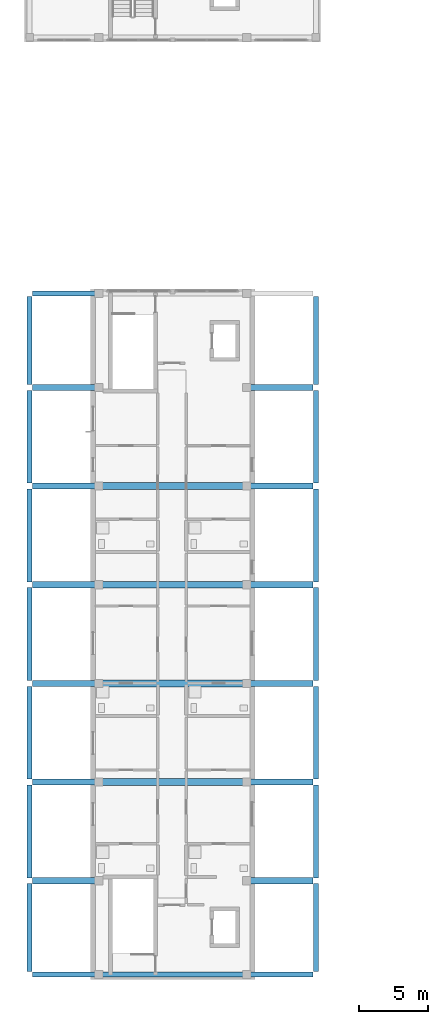
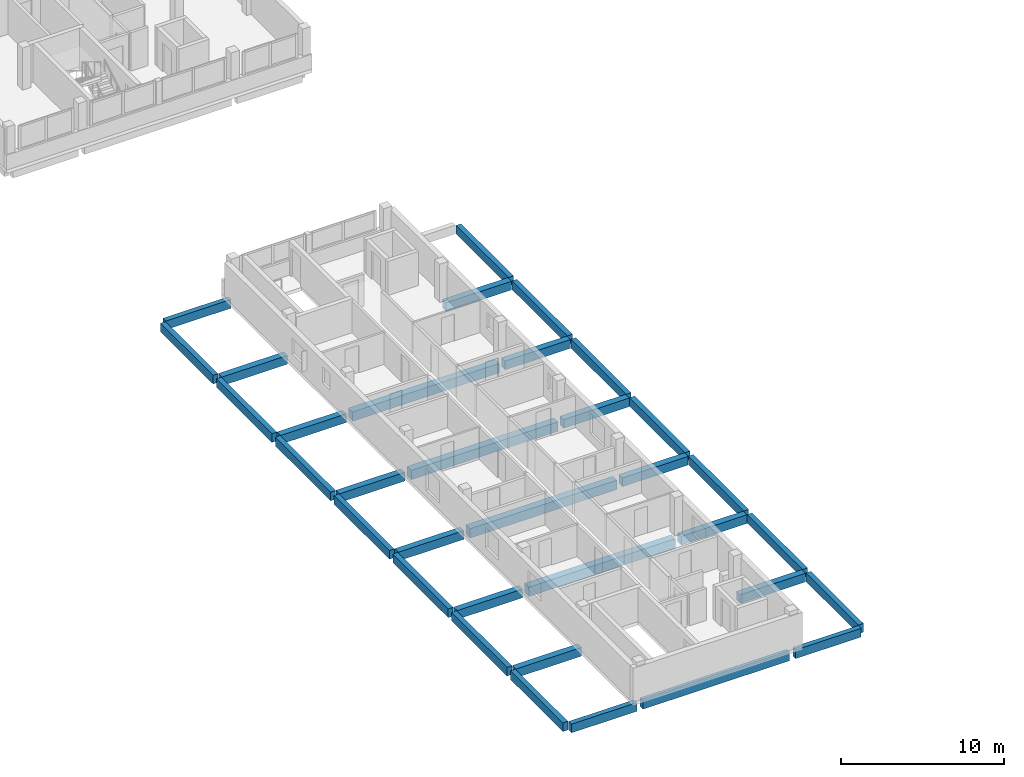
# One storey, part 3 of 34: 34 beams.
"""IFC4 building model written with IfcOpenShell, lengths in metres."""

from ifc_helpers import new_model, si_unit, derived_unit, direction, frame, origin, origin_2d, place, context, subcontext, project, spatial, rectangle, extrude, material, material_profile, profile_set, type_object, element, save


model = new_model("IFC4")

# Units and contexts
model_context = context("Model", 3, precision=1e-05, world=origin(), true_north=direction((0.0, 1.0)))
body_context = subcontext(model_context, "Body", "Model", "MODEL_VIEW")
ifc_project = project(units=[si_unit("LENGTHUNIT", "METRE"), si_unit("AREAUNIT", "SQUARE_METRE"), si_unit("VOLUMEUNIT", "CUBIC_METRE"), si_unit("PLANEANGLEUNIT", "RADIAN"), si_unit("MASSUNIT", "GRAM", prefix="KILO"), derived_unit("THERMALTRANSMITTANCEUNIT", [(si_unit("MASSUNIT", "GRAM", prefix="KILO"), 1), (si_unit("TIMEUNIT", "SECOND"), -3), (si_unit("THERMODYNAMICTEMPERATUREUNIT", "KELVIN"), -1)])], contexts=[model_context])

# Site, building, storey
site_placement = place(None, origin())
site = spatial("IfcSite", under=ifc_project, at=site_placement, CompositionType="ELEMENT")
building_placement = place(site_placement, origin())
building = spatial("IfcBuilding", under=site, at=building_placement, Name="Ochrekiln Boulevard Commons", CompositionType="ELEMENT")
storey_placement = place(building_placement, frame((0.0, 0.0, 27.824951171875)))
storey = spatial("IfcBuildingStorey", under=building, at=storey_placement, Name="L08", CompositionType="ELEMENT", Elevation=27.824951171875)

# Beams
ifc_material_1 = material(Name="Concrete C35/45", Category="concrete")
ifc_material_profile_1 = material_profile(ifc_material_1, rectangle(XDim=0.449951171875, YDim=0.64990234375, at=origin_2d()), Name="RC-BM-450x650")
ifc_profile_set_1 = profile_set([ifc_material_profile_1], Name="Concrete C35/45")
beam_type_1 = type_object("IfcBeamType", Name="BM-RC-450x650", PredefinedType="BEAM", material=ifc_profile_set_1)
beam_1_placement = place(storey_placement, frame((0.56005859375, 7.199951171875, -0.574951171875), z_axis=(1.0, 0.0, 0.0), x_axis=(0.0, 1.0, 0.0)))
element("IfcBeam", 1, at=beam_1_placement, inside=storey, type_object=beam_type_1, Name="Block D L08 Beam B-4565 X4", PredefinedType="BEAM", context=body_context, shape_type="SweptSolid", body=[
    extrude(rectangle(XDim=0.449951171875, YDim=0.64990234375, at=origin_2d()), origin(), (0.0, 0.0, 1.0), 4.6298828125),
])
beam_2_placement = place(storey_placement, frame((16.409912109375, 7.199951171875, -0.574951171875), z_axis=(1.0, 0.0, 0.0), x_axis=(0.0, 1.0, 0.0)))
element("IfcBeam", 2, at=beam_2_placement, inside=storey, type_object=beam_type_1, Name="Block D L08 Beam B-4565 X5", PredefinedType="BEAM", context=body_context, shape_type="SweptSolid", body=[
    extrude(rectangle(XDim=0.449951171875, YDim=0.64990234375, at=origin_2d()), origin(), (0.0, 0.0, 1.0), 4.630126953125),
])
beam_3_placement = place(storey_placement, frame((0.56005859375, 14.39990234375, -0.574951171875), z_axis=(1.0, 0.0, 0.0), x_axis=(0.0, 1.0, 0.0)))
element("IfcBeam", 3, at=beam_3_placement, inside=storey, type_object=beam_type_1, Name="Block D L08 Beam B-4565 X6", PredefinedType="BEAM", context=body_context, shape_type="SweptSolid", body=[
    extrude(rectangle(XDim=0.449951171875, YDim=0.64990234375, at=origin_2d()), origin(), (0.0, 0.0, 1.0), 4.6298828125),
])
beam_4_placement = place(storey_placement, frame((16.409912109375, 14.39990234375, -0.574951171875), z_axis=(1.0, 0.0, 0.0), x_axis=(0.0, 1.0, 0.0)))
element("IfcBeam", 4, at=beam_4_placement, inside=storey, type_object=beam_type_1, Name="Block D L08 Beam B-4565 X8", PredefinedType="BEAM", context=body_context, shape_type="SweptSolid", body=[
    extrude(rectangle(XDim=0.449951171875, YDim=0.64990234375, at=origin_2d()), origin(), (0.0, 0.0, 1.0), 4.630126953125),
])
beam_5_placement = place(storey_placement, frame((0.56005859375, 21.60009765625, -0.574951171875), z_axis=(1.0, 0.0, 0.0), x_axis=(0.0, 1.0, 0.0)))
element("IfcBeam", 5, at=beam_5_placement, inside=storey, type_object=beam_type_1, Name="Block D L08 Beam B-4565 X9", PredefinedType="BEAM", context=body_context, shape_type="SweptSolid", body=[
    extrude(rectangle(XDim=0.449951171875, YDim=0.64990234375, at=origin_2d()), origin(), (0.0, 0.0, 1.0), 4.6298828125),
])
beam_6_placement = place(storey_placement, frame((16.409912109375, 21.60009765625, -0.574951171875), z_axis=(1.0, 0.0, 0.0), x_axis=(0.0, 1.0, 0.0)))
element("IfcBeam", 6, at=beam_6_placement, inside=storey, type_object=beam_type_1, Name="Block D L08 Beam B-4565 X11", PredefinedType="BEAM", context=body_context, shape_type="SweptSolid", body=[
    extrude(rectangle(XDim=0.449951171875, YDim=0.64990234375, at=origin_2d()), origin(), (0.0, 0.0, 1.0), 4.630126953125),
])
beam_7_placement = place(storey_placement, frame((0.56005859375, 28.800048828125, -0.574951171875), z_axis=(1.0, 0.0, 0.0), x_axis=(0.0, 1.0, 0.0)))
element("IfcBeam", 7, at=beam_7_placement, inside=storey, type_object=beam_type_1, Name="Block D L08 Beam B-4565 X12", PredefinedType="BEAM", context=body_context, shape_type="SweptSolid", body=[
    extrude(rectangle(XDim=0.449951171875, YDim=0.64990234375, at=origin_2d()), origin(), (0.0, 0.0, 1.0), 4.6298828125),
])
beam_8_placement = place(storey_placement, frame((16.409912109375, 28.800048828125, -0.574951171875), z_axis=(1.0, 0.0, 0.0), x_axis=(0.0, 1.0, 0.0)))
element("IfcBeam", 8, at=beam_8_placement, inside=storey, type_object=beam_type_1, Name="Block D L08 Beam B-4565 X14", PredefinedType="BEAM", context=body_context, shape_type="SweptSolid", body=[
    extrude(rectangle(XDim=0.449951171875, YDim=0.64990234375, at=origin_2d()), origin(), (0.0, 0.0, 1.0), 4.630126953125),
])
beam_9_placement = place(storey_placement, frame((0.56005859375, 36.0, -0.574951171875), z_axis=(1.0, 0.0, 0.0), x_axis=(0.0, 1.0, 0.0)))
element("IfcBeam", 9, at=beam_9_placement, inside=storey, type_object=beam_type_1, Name="Block D L08 Beam B-4565 X15", PredefinedType="BEAM", context=body_context, shape_type="SweptSolid", body=[
    extrude(rectangle(XDim=0.449951171875, YDim=0.64990234375, at=origin_2d()), origin(), (0.0, 0.0, 1.0), 4.6298828125),
])
beam_10_placement = place(storey_placement, frame((16.409912109375, 36.0, -0.574951171875), z_axis=(1.0, 0.0, 0.0), x_axis=(0.0, 1.0, 0.0)))
element("IfcBeam", 10, at=beam_10_placement, inside=storey, type_object=beam_type_1, Name="Block D L08 Beam B-4565 X17", PredefinedType="BEAM", context=body_context, shape_type="SweptSolid", body=[
    extrude(rectangle(XDim=0.449951171875, YDim=0.64990234375, at=origin_2d()), origin(), (0.0, 0.0, 1.0), 4.630126953125),
])
beam_11_placement = place(storey_placement, frame((0.56005859375, 43.199951171875, -0.574951171875), z_axis=(1.0, 0.0, 0.0), x_axis=(0.0, 1.0, 0.0)))
element("IfcBeam", 11, at=beam_11_placement, inside=storey, type_object=beam_type_1, Name="Block D L08 Beam B-4565 X18", PredefinedType="BEAM", context=body_context, shape_type="SweptSolid", body=[
    extrude(rectangle(XDim=0.449951171875, YDim=0.64990234375, at=origin_2d()), origin(), (0.0, 0.0, 1.0), 4.6298828125),
])
beam_12_placement = place(storey_placement, frame((16.409912109375, 43.199951171875, -0.574951171875), z_axis=(1.0, 0.0, 0.0), x_axis=(0.0, 1.0, 0.0)))
element("IfcBeam", 12, at=beam_12_placement, inside=storey, type_object=beam_type_1, Name="Block D L08 Beam B-4565 X19", PredefinedType="BEAM", context=body_context, shape_type="SweptSolid", body=[
    extrude(rectangle(XDim=0.449951171875, YDim=0.64990234375, at=origin_2d()), origin(), (0.0, 0.0, 1.0), 4.630126953125),
])
ifc_material_2 = material(Name="Concrete C40/50", Category="concrete")
ifc_material_profile_2 = material_profile(ifc_material_2, rectangle(XDim=0.5, YDim=0.699951171875, at=origin_2d()), Name="RC-BM-500x700")
ifc_profile_set_2 = profile_set([ifc_material_profile_2], Name="Concrete C40/50")
beam_type_2 = type_object("IfcBeamType", Name="BM-RC-500x700", PredefinedType="BEAM", material=ifc_profile_set_2)
for number, where, z_axis, x_axis, name in (
    (13, (5.610107421875, 14.39990234375, -0.599853515625), (1.0, 0.0, 0.0), (0.0, 1.0, 0.0), "Block D L08 Beam B-5070 X7"),
    (14, (5.610107421875, 21.60009765625, -0.599853515625), (1.0, 0.0, 0.0), (0.0, 1.0, 0.0), "Block D L08 Beam B-5070 X10"),
    (15, (5.610107421875, 28.800048828125, -0.599853515625), (1.0, 0.0, 0.0), (0.0, 1.0, 0.0), "Block D L08 Beam B-5070 X13"),
    (16, (5.610107421875, 36.0, -0.599853515625), (1.0, 0.0, 0.0), (0.0, 1.0, 0.0), "Block D L08 Beam B-5070 X16"),
):
    element("IfcBeam", number, at=place(storey_placement, frame(where, z_axis=z_axis, x_axis=x_axis)), inside=storey, type_object=beam_type_2, Name=name, PredefinedType="BEAM", context=body_context, shape_type="SweptSolid", body=[
        extrude(rectangle(XDim=0.5, YDim=0.699951171875, at=origin_2d()), origin(), (0.0, 0.0, 1.0), 10.3798828125),
    ])
ifc_material_profile_3 = material_profile(ifc_material_2, rectangle(XDim=0.35009765625, YDim=0.64990234375, at=origin_2d()), Name="RC-SPN-350x650")
ifc_profile_set_3 = profile_set([ifc_material_profile_3], Name="Concrete C40/50")
beam_type_3 = type_object("IfcBeamType", Name="SPN-RC-350x650", PredefinedType="SPANDREL", material=ifc_profile_set_3)
beam_13_placement = place(storey_placement, frame((0.56005859375, 0.35009765625, -0.574951171875), z_axis=(1.0, 0.0, 0.0), x_axis=(0.0, 1.0, 0.0)))
element("IfcBeam", 17, at=beam_13_placement, inside=storey, type_object=beam_type_3, Name="Block D L08 Beam SP-3565 X1", PredefinedType="SPANDREL", context=body_context, shape_type="SweptSolid", body=[
    extrude(rectangle(XDim=0.35009765625, YDim=0.64990234375, at=origin_2d()), origin(), (0.0, 0.0, 1.0), 4.6298828125),
])
beam_14_placement = place(storey_placement, frame((5.610107421875, 0.35009765625, -0.574951171875), z_axis=(1.0, 0.0, 0.0), x_axis=(0.0, 1.0, 0.0)))
element("IfcBeam", 18, at=beam_14_placement, inside=storey, type_object=beam_type_3, Name="Block D L08 Beam SP-3565 X2", PredefinedType="SPANDREL", context=body_context, shape_type="SweptSolid", body=[
    extrude(rectangle(XDim=0.35009765625, YDim=0.64990234375, at=origin_2d()), origin(), (0.0, 0.0, 1.0), 10.3798828125),
])
beam_15_placement = place(storey_placement, frame((16.409912109375, 0.35009765625, -0.574951171875), z_axis=(1.0, 0.0, 0.0), x_axis=(0.0, 1.0, 0.0)))
element("IfcBeam", 19, at=beam_15_placement, inside=storey, type_object=beam_type_3, Name="Block D L08 Beam SP-3565 X3", PredefinedType="SPANDREL", context=body_context, shape_type="SweptSolid", body=[
    extrude(rectangle(XDim=0.35009765625, YDim=0.64990234375, at=origin_2d()), origin(), (0.0, 0.0, 1.0), 4.630126953125),
])
beam_16_placement = place(storey_placement, frame((0.56005859375, 50.050048828125, -0.574951171875), z_axis=(1.0, 0.0, 0.0), x_axis=(0.0, 1.0, 0.0)))
element("IfcBeam", 20, at=beam_16_placement, inside=storey, type_object=beam_type_3, Name="Block D L08 Beam SP-3565 X20", PredefinedType="SPANDREL", context=body_context, shape_type="SweptSolid", body=[
    extrude(rectangle(XDim=0.35009765625, YDim=0.64990234375, at=origin_2d()), origin(), (0.0, 0.0, 1.0), 4.6298828125),
])
beam_17_placement = place(storey_placement, frame((0.35009765625, 0.56005859375, -0.574951171875), z_axis=(0.0, 1.0, 0.0), x_axis=(-1.0, 0.0, 0.0)))
element("IfcBeam", 21, at=beam_17_placement, inside=storey, type_object=beam_type_3, Name="Block D L08 Beam SP-3565 Y23", PredefinedType="SPANDREL", context=body_context, shape_type="SweptSolid", body=[
    extrude(rectangle(XDim=0.35009765625, YDim=0.64990234375, at=origin_2d()), origin(), (0.0, 0.0, 1.0), 6.429931640625),
])
beam_18_placement = place(storey_placement, frame((0.35009765625, 7.409912109375, -0.574951171875), z_axis=(0.0, 1.0, 0.0), x_axis=(-1.0, 0.0, 0.0)))
element("IfcBeam", 22, at=beam_18_placement, inside=storey, type_object=beam_type_3, Name="Block D L08 Beam SP-3565 Y24", PredefinedType="SPANDREL", context=body_context, shape_type="SweptSolid", body=[
    extrude(rectangle(XDim=0.35009765625, YDim=0.64990234375, at=origin_2d()), origin(), (0.0, 0.0, 1.0), 6.780029296875),
])
beam_19_placement = place(storey_placement, frame((0.35009765625, 14.610107421875, -0.574951171875), z_axis=(0.0, 1.0, 0.0), x_axis=(-1.0, 0.0, 0.0)))
element("IfcBeam", 23, at=beam_19_placement, inside=storey, type_object=beam_type_3, Name="Block D L08 Beam SP-3565 Y25", PredefinedType="SPANDREL", context=body_context, shape_type="SweptSolid", body=[
    extrude(rectangle(XDim=0.35009765625, YDim=0.64990234375, at=origin_2d()), origin(), (0.0, 0.0, 1.0), 6.77978515625),
])
for number, where, z_axis, x_axis, name in (
    (24, (0.35009765625, 21.81005859375, -0.574951171875), (0.0, 1.0, 0.0), (-1.0, 0.0, 0.0), "Block D L08 Beam SP-3565 Y26"),
    (25, (0.35009765625, 29.010009765625, -0.574951171875), (0.0, 1.0, 0.0), (-1.0, 0.0, 0.0), "Block D L08 Beam SP-3565 Y27"),
    (26, (0.35009765625, 36.2099609375, -0.574951171875), (0.0, 1.0, 0.0), (-1.0, 0.0, 0.0), "Block D L08 Beam SP-3565 Y28"),
):
    element("IfcBeam", number, at=place(storey_placement, frame(where, z_axis=z_axis, x_axis=x_axis)), inside=storey, type_object=beam_type_3, Name=name, PredefinedType="SPANDREL", context=body_context, shape_type="SweptSolid", body=[
        extrude(rectangle(XDim=0.35009765625, YDim=0.64990234375, at=origin_2d()), origin(), (0.0, 0.0, 1.0), 6.780029296875),
    ])
beam_20_placement = place(storey_placement, frame((0.35009765625, 43.409912109375, -0.574951171875), z_axis=(0.0, 1.0, 0.0), x_axis=(-1.0, 0.0, 0.0)))
element("IfcBeam", 27, at=beam_20_placement, inside=storey, type_object=beam_type_3, Name="Block D L08 Beam SP-3565 Y29", PredefinedType="SPANDREL", context=body_context, shape_type="SweptSolid", body=[
    extrude(rectangle(XDim=0.35009765625, YDim=0.64990234375, at=origin_2d()), origin(), (0.0, 0.0, 1.0), 6.43017578125),
])
beam_21_placement = place(storey_placement, frame((21.25, 0.56005859375, -0.574951171875), z_axis=(0.0, 1.0, 0.0), x_axis=(-1.0, 0.0, 0.0)))
element("IfcBeam", 28, at=beam_21_placement, inside=storey, type_object=beam_type_3, Name="Block D L08 Beam SP-3565 Y30", PredefinedType="SPANDREL", context=body_context, shape_type="SweptSolid", body=[
    extrude(rectangle(XDim=0.35009765625, YDim=0.64990234375, at=origin_2d()), origin(), (0.0, 0.0, 1.0), 6.429931640625),
])
beam_22_placement = place(storey_placement, frame((21.25, 7.409912109375, -0.574951171875), z_axis=(0.0, 1.0, 0.0), x_axis=(-1.0, 0.0, 0.0)))
element("IfcBeam", 29, at=beam_22_placement, inside=storey, type_object=beam_type_3, Name="Block D L08 Beam SP-3565 Y31", PredefinedType="SPANDREL", context=body_context, shape_type="SweptSolid", body=[
    extrude(rectangle(XDim=0.35009765625, YDim=0.64990234375, at=origin_2d()), origin(), (0.0, 0.0, 1.0), 6.780029296875),
])
beam_23_placement = place(storey_placement, frame((21.25, 14.610107421875, -0.574951171875), z_axis=(0.0, 1.0, 0.0), x_axis=(-1.0, 0.0, 0.0)))
element("IfcBeam", 30, at=beam_23_placement, inside=storey, type_object=beam_type_3, Name="Block D L08 Beam SP-3565 Y32", PredefinedType="SPANDREL", context=body_context, shape_type="SweptSolid", body=[
    extrude(rectangle(XDim=0.35009765625, YDim=0.64990234375, at=origin_2d()), origin(), (0.0, 0.0, 1.0), 6.77978515625),
])
for number, where, z_axis, x_axis, name in (
    (31, (21.25, 21.81005859375, -0.574951171875), (0.0, 1.0, 0.0), (-1.0, 0.0, 0.0), "Block D L08 Beam SP-3565 Y33"),
    (32, (21.25, 29.010009765625, -0.574951171875), (0.0, 1.0, 0.0), (-1.0, 0.0, 0.0), "Block D L08 Beam SP-3565 Y34"),
    (33, (21.25, 36.2099609375, -0.574951171875), (0.0, 1.0, 0.0), (-1.0, 0.0, 0.0), "Block D L08 Beam SP-3565 Y35"),
):
    element("IfcBeam", number, at=place(storey_placement, frame(where, z_axis=z_axis, x_axis=x_axis)), inside=storey, type_object=beam_type_3, Name=name, PredefinedType="SPANDREL", context=body_context, shape_type="SweptSolid", body=[
        extrude(rectangle(XDim=0.35009765625, YDim=0.64990234375, at=origin_2d()), origin(), (0.0, 0.0, 1.0), 6.780029296875),
    ])
beam_24_placement = place(storey_placement, frame((21.25, 43.409912109375, -0.574951171875), z_axis=(0.0, 1.0, 0.0), x_axis=(-1.0, 0.0, 0.0)))
element("IfcBeam", 34, at=beam_24_placement, inside=storey, type_object=beam_type_3, Name="Block D L08 Beam SP-3565 Y36", PredefinedType="SPANDREL", context=body_context, shape_type="SweptSolid", body=[
    extrude(rectangle(XDim=0.35009765625, YDim=0.64990234375, at=origin_2d()), origin(), (0.0, 0.0, 1.0), 6.43017578125),
])

save(model, "model.ifc")
